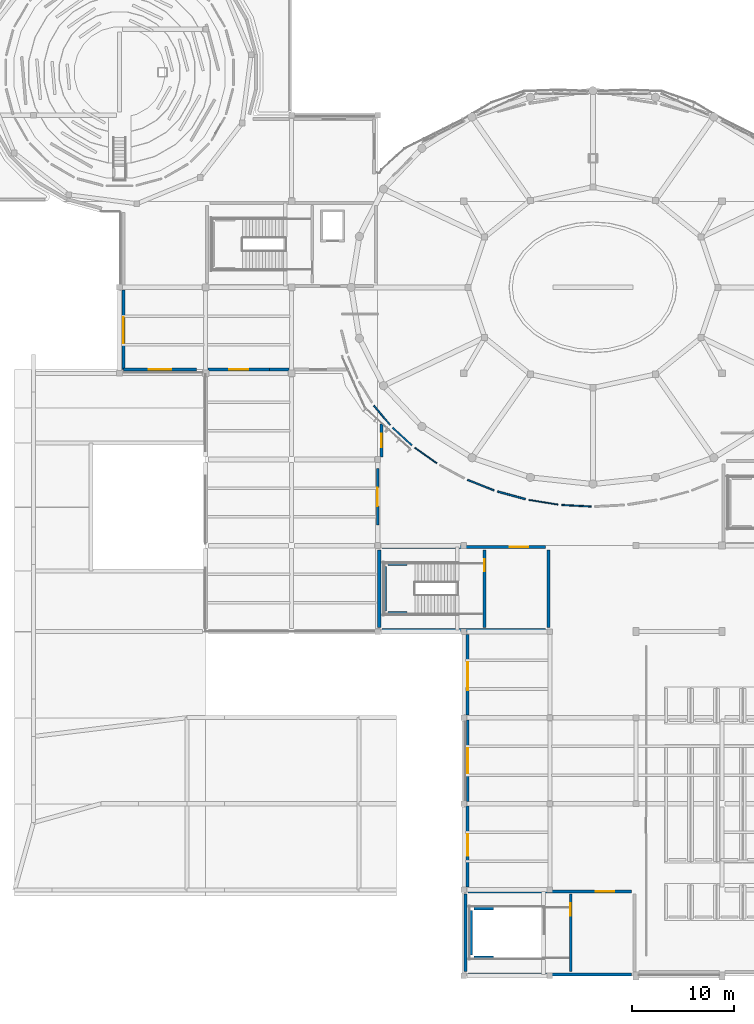
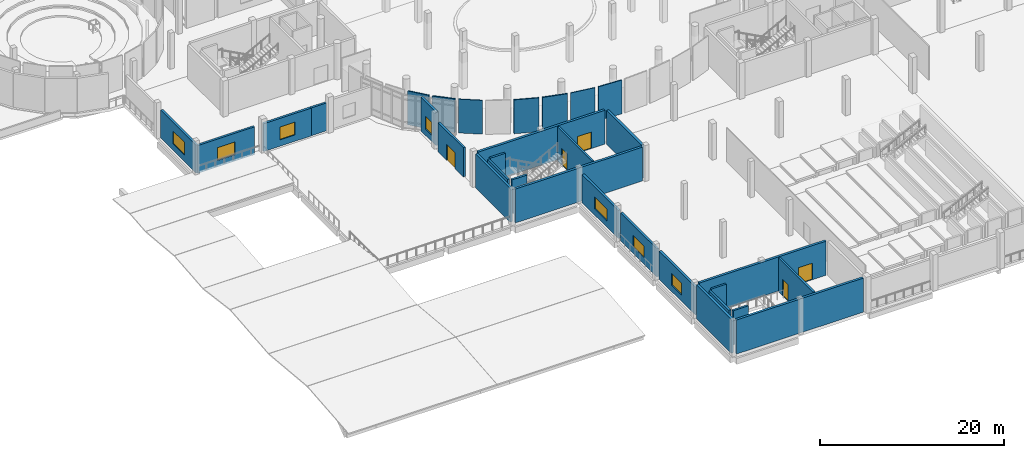
# One storey, part 40 of 63: 31 walls, 7 windows, 5 doors, 12 openings.
"""IFC4 building model written with IfcOpenShell, lengths in metres."""

from ifc_helpers import new_model, si_unit, derived_unit, direction, frame, frame_2d, origin, place, context, subcontext, project, spatial, rectangle, extrude, material, layer, layer_set, type_object, element, fill, save


model = new_model("IFC4")

# Units and contexts
model_context = context("Model", 3, precision=1e-05, world=origin(), true_north=direction((0.0, 1.0)))
body_context = subcontext(model_context, "Body", "Model", "MODEL_VIEW")
ifc_project = project(units=[si_unit("LENGTHUNIT", "METRE"), si_unit("AREAUNIT", "SQUARE_METRE"), si_unit("VOLUMEUNIT", "CUBIC_METRE"), si_unit("PLANEANGLEUNIT", "RADIAN"), si_unit("MASSUNIT", "GRAM", prefix="KILO"), derived_unit("THERMALTRANSMITTANCEUNIT", [(si_unit("POWERUNIT", "WATT"), 1), (si_unit("LENGTHUNIT", "METRE"), -2), (si_unit("THERMODYNAMICTEMPERATUREUNIT", "KELVIN"), -1)])], contexts=[model_context])

# Site, building, storey
site_placement = place(None, origin())
site = spatial("IfcSite", under=ifc_project, at=site_placement, CompositionType="ELEMENT")
building_placement = place(site_placement, origin())
building = spatial("IfcBuilding", under=site, at=building_placement, Name="Elbkamm Science Centre", CompositionType="ELEMENT")
storey_placement = place(building_placement, frame((0.0, 0.0, 5.10009765625)))
storey = spatial("IfcBuildingStorey", under=building, at=storey_placement, Name="L01", CompositionType="ELEMENT", Elevation=5.10009765625)

# Walls
ifc_material_1 = material(Name="Reinforced concrete C40/50", Category="concrete")
ifc_layer_1 = layer(ifc_material_1, 0.25)
ifc_layer_set_1 = layer_set([ifc_layer_1], Name="Reinforced concrete C40/50")
wall_type_1 = type_object("IfcWallType", Name="WL-CORE-250", PredefinedType="SHEAR", material=ifc_layer_set_1)
wall_1_placement = place(storey_placement, frame((42.739990234375, 35.6201171875, 0.0), z_axis=(0.0, 0.0, 1.0), x_axis=(0.0, 1.0, 0.0)))
element("IfcWall", 1, at=wall_1_placement, inside=storey, type_object=wall_type_1, Name="L01 ST-C5 Shaft Bearing Wall W", PredefinedType="SHEAR", context=body_context, shape_type="SweptSolid", body=[
    extrude(rectangle(XDim=4.35986328125, YDim=0.25, at=frame_2d((2.179931640625, 0.0))), origin(), (0.0, 0.0, 1.0), 4.5),
])
for number, where, z_axis, x_axis, name in (
    (2, (42.989990234375, 35.419921875, 0.0), (0.0, 0.0, 1.0), (1.0, 0.0, 0.0), "L01 ST-C5 Shaft Bearing Wall S"),
    (3, (42.989990234375, 40.179931640625, 0.0), (0.0, 0.0, 1.0), (1.0, 0.0, 0.0), "L01 ST-C5 Shaft Bearing Wall N"),
):
    element("IfcWall", number, at=place(storey_placement, frame(where, z_axis=z_axis, x_axis=x_axis)), inside=storey, type_object=wall_type_1, Name=name, PredefinedType="SHEAR", context=body_context, shape_type="SweptSolid", body=[
        extrude(rectangle(XDim=1.889892578125, YDim=0.25, at=frame_2d((0.94482421875, 0.0))), origin(), (0.0, 0.0, 1.0), 4.5),
    ])

# Wall, opening, door
wall_2_placement = place(storey_placement, frame((52.419921875, 34.02001953125, 0.0), z_axis=(0.0, 0.0, 1.0), x_axis=(0.0, 1.0, 0.0)))
wall_2 = element("IfcWall", 4, at=wall_2_placement, inside=storey, type_object=wall_type_1, Name="L01 C5 Stairwell Compartment Wall", PredefinedType="SHEAR", context=body_context, shape_type="SweptSolid", body=[
    extrude(rectangle(XDim=7.56005859375, YDim=0.25, at=frame_2d((3.780029296875, 0.0))), origin(), (0.0, 0.0, 1.0), 4.5),
])
opening_1_placement = place(wall_2_placement, frame((5.4599609375, 0.0, 0.0)))
opening_1 = element("IfcOpeningElement", 5, at=opening_1_placement, cuts=wall_2, Name="Opening DC-02", PredefinedType="OPENING", context=body_context, shape_type="SweptSolid", body=[
    extrude(rectangle(XDim=1.199951171875, YDim=2.199951171875, at=frame_2d((0.60009765625, 1.10009765625))), frame((0.0, 0.136962890625, 0.0), z_axis=(0.0, -1.0, 0.0), x_axis=(1.0, 0.0, 0.0)), (0.0, 0.0, 1.0), 0.27392578125),
])
ifc_material_2 = material(Name="Fire-rated steel acoustic door", Category="steel")
ifc_layer_2 = layer(ifc_material_2, 0.050048828125)
ifc_layer_set_2 = layer_set([ifc_layer_2], Name="Fire-rated steel acoustic door")
door_type_1 = type_object("IfcDoorType", Name="DR-CORE-1200x2200", OperationType="NOTDEFINED", PredefinedType="DOOR", material=ifc_layer_set_2)
door_1_placement = place(opening_1_placement, origin())
door_1 = element("IfcDoor", 6, at=door_1_placement, inside=storey, type_object=door_type_1, Name="L01 ST-C5 Stairwell Fire Door", OperationType="SINGLE_SWING_LEFT", OverallHeight=2.199951171875, OverallWidth=1.199951171875, PredefinedType="DOOR", context=body_context, shape_type="SweptSolid", body=[
    extrude(rectangle(XDim=1.199951171875, YDim=2.199951171875, at=frame_2d((0.60009765625, 1.10009765625))), frame((0.0, 0.02490234375, 0.0), z_axis=(0.0, -1.0, 0.0), x_axis=(1.0, 0.0, 0.0)), (0.0, 0.0, 1.0), 0.050048828125),
])
fill(opening_1, door_1)

# Walls
wall_3_placement = place(storey_placement, frame((51.139892578125, 2.02001953125, 0.0), z_axis=(0.0, 0.0, 1.0), x_axis=(0.0, 1.0, 0.0)))
element("IfcWall", 7, at=wall_3_placement, inside=storey, type_object=wall_type_1, Name="L01 ST-C6 Shaft Bearing Wall W", PredefinedType="SHEAR", context=body_context, shape_type="SweptSolid", body=[
    extrude(rectangle(XDim=4.35986328125, YDim=0.25, at=frame_2d((2.179931640625, 0.0))), origin(), (0.0, 0.0, 1.0), 4.52978515625),
])
for number, where, z_axis, x_axis, name in (
    (8, (51.389892578125, 1.820068359375, 0.0), (0.0, 0.0, 1.0), (1.0, 0.0, 0.0), "L01 ST-C6 Shaft Bearing Wall S"),
    (9, (51.389892578125, 6.580078125, 0.0), (0.0, 0.0, 1.0), (1.0, 0.0, 0.0), "L01 ST-C6 Shaft Bearing Wall N"),
):
    element("IfcWall", number, at=place(storey_placement, frame(where, z_axis=z_axis, x_axis=x_axis)), inside=storey, type_object=wall_type_1, Name=name, PredefinedType="SHEAR", context=body_context, shape_type="SweptSolid", body=[
        extrude(rectangle(XDim=1.89013671875, YDim=0.25, at=frame_2d((0.945068359375, 0.0))), origin(), (0.0, 0.0, 1.0), 4.52978515625),
    ])

# Wall, opening, door
wall_4_placement = place(storey_placement, frame((60.820068359375, 0.419921875, 0.0), z_axis=(0.0, 0.0, 1.0), x_axis=(0.0, 1.0, 0.0)))
wall_4 = element("IfcWall", 10, at=wall_4_placement, inside=storey, type_object=wall_type_1, Name="L01 C6 Stairwell Compartment Wall", PredefinedType="SHEAR", context=body_context, shape_type="SweptSolid", body=[
    extrude(rectangle(XDim=7.56005859375, YDim=0.25, at=frame_2d((3.780029296875, 0.0))), origin(), (0.0, 0.0, 1.0), 4.52978515625),
])
opening_2_placement = place(wall_4_placement, frame((5.4599609375, 0.0, 0.0)))
opening_2 = element("IfcOpeningElement", 11, at=opening_2_placement, cuts=wall_4, Name="Opening DC-02", PredefinedType="OPENING", context=body_context, shape_type="SweptSolid", body=[
    extrude(rectangle(XDim=1.199951171875, YDim=2.199951171875, at=frame_2d((0.60009765625, 1.10009765625))), frame((0.0, 0.136962890625, 0.0), z_axis=(0.0, -1.0, 0.0), x_axis=(1.0, 0.0, 0.0)), (0.0, 0.0, 1.0), 0.27392578125),
])
door_2_placement = place(opening_2_placement, origin())
door_2 = element("IfcDoor", 12, at=door_2_placement, inside=storey, type_object=door_type_1, Name="L01 ST-C6 Stairwell Fire Door", OperationType="SINGLE_SWING_RIGHT", OverallHeight=2.199951171875, OverallWidth=1.199951171875, PredefinedType="DOOR", context=body_context, shape_type="SweptSolid", body=[
    extrude(rectangle(XDim=1.199951171875, YDim=2.199951171875, at=frame_2d((0.60009765625, 1.10009765625))), frame((0.0, 0.02490234375, 0.0), z_axis=(0.0, -1.0, 0.0), x_axis=(1.0, 0.0, 0.0)), (0.0, 0.0, 1.0), 0.050048828125),
])
fill(opening_2, door_2)

# Wall
ifc_layer_3 = layer(ifc_material_1, 0.300048828125)
ifc_layer_set_3 = layer_set([ifc_layer_3], Name="Reinforced concrete C40/50")
wall_type_2 = type_object("IfcWallType", Name="WL-CORE-300", PredefinedType="SHEAR", material=ifc_layer_set_3)
wall_5_placement = place(storey_placement, frame((42.419921875, 33.75, 0.0), z_axis=(0.0, 0.0, 1.0), x_axis=(1.0, 0.0, 0.0)))
element("IfcWall", 13, at=wall_5_placement, inside=storey, type_object=wall_type_2, Name="L01 Core C5 Southwest Plinth Assembly Egress Core Shear Wall S", PredefinedType="SHEAR", context=body_context, shape_type="SweptSolid", body=[
    extrude(rectangle(XDim=15.9599609375, YDim=0.300048828125, at=frame_2d((7.97998046875, 0.0))), origin(), (0.0, 0.0, 1.0), 4.5),
])

# Wall, opening, door
wall_6_placement = place(storey_placement, frame((42.419921875, 41.85009765625, 0.0), z_axis=(0.0, 0.0, 1.0), x_axis=(1.0, 0.0, 0.0)))
wall_6 = element("IfcWall", 14, at=wall_6_placement, inside=storey, type_object=wall_type_2, Name="L01 Core C5 Southwest Plinth Assembly Egress Core Shear Wall N", PredefinedType="SHEAR", context=body_context, shape_type="SweptSolid", body=[
    extrude(rectangle(XDim=15.9599609375, YDim=0.300048828125, at=frame_2d((7.97998046875, 0.0))), origin(), (0.0, 0.0, 1.0), 4.5),
])
opening_3_placement = place(wall_6_placement, frame((12.4599609375, 0.0, 0.0)))
opening_3 = element("IfcOpeningElement", 15, at=opening_3_placement, cuts=wall_6, Name="Opening DC-01", PredefinedType="OPENING", context=body_context, shape_type="SweptSolid", body=[
    extrude(rectangle(XDim=1.800048828125, YDim=2.199951171875, at=frame_2d((0.89990234375, 1.10009765625))), frame((0.0, 0.162109375, 0.0), z_axis=(0.0, -1.0, 0.0), x_axis=(1.0, 0.0, 0.0)), (0.0, 0.0, 1.0), 0.323974609375),
])
ifc_layer_4 = layer(ifc_material_2, 0.050048828125)
ifc_layer_set_4 = layer_set([ifc_layer_4], Name="Fire-rated steel acoustic door")
door_type_2 = type_object("IfcDoorType", Name="DR-CORE-1800x2200", OperationType="DOUBLE_DOOR_SINGLE_SWING", PredefinedType="DOOR", material=ifc_layer_set_4)
door_3_placement = place(opening_3_placement, origin())
door_3 = element("IfcDoor", 16, at=door_3_placement, inside=storey, type_object=door_type_2, Name="L01 C5 Core Lobby Fire Door", OperationType="DOUBLE_DOOR_SINGLE_SWING", OverallHeight=2.199951171875, OverallWidth=1.800048828125, PredefinedType="DOOR", context=body_context, shape_type="SweptSolid", body=[
    extrude(rectangle(XDim=1.800048828125, YDim=2.199951171875, at=frame_2d((0.89990234375, 1.10009765625))), frame((0.0, 0.02490234375, 0.0), z_axis=(0.0, -1.0, 0.0), x_axis=(1.0, 0.0, 0.0)), (0.0, 0.0, 1.0), 0.050048828125),
])
fill(opening_3, door_3)

# Walls
for number, where, z_axis, x_axis, name in (
    (17, (42.14990234375, 34.02001953125, 0.0), (0.0, 0.0, 1.0), (0.0, 1.0, 0.0), "L01 Core C5 Southwest Plinth Assembly Egress Core Shear Wall W"),
    (18, (58.64990234375, 34.02001953125, 0.0), (0.0, 0.0, 1.0), (0.0, 1.0, 0.0), "L01 Core C5 Southwest Plinth Assembly Egress Core Shear Wall E"),
):
    element("IfcWall", number, at=place(storey_placement, frame(where, z_axis=z_axis, x_axis=x_axis)), inside=storey, type_object=wall_type_2, Name=name, PredefinedType="SHEAR", context=body_context, shape_type="SweptSolid", body=[
        extrude(rectangle(XDim=7.56005859375, YDim=0.300048828125, at=frame_2d((3.780029296875, 0.0))), origin(), (0.0, 0.0, 1.0), 4.5),
    ])
wall_7_placement = place(storey_placement, frame((50.820068359375, 0.14990234375, 0.0), z_axis=(0.0, 0.0, 1.0), x_axis=(1.0, 0.0, 0.0)))
element("IfcWall", 19, at=wall_7_placement, inside=storey, type_object=wall_type_2, Name="L01 Core C6 South Theatre Assembly Egress Core Shear Wall S", PredefinedType="SHEAR", context=body_context, shape_type="SweptSolid", body=[
    extrude(rectangle(XDim=15.9599609375, YDim=0.300048828125, at=frame_2d((7.97998046875, 0.0))), origin(), (0.0, 0.0, 1.0), 4.52978515625),
])

# Wall, opening, door
wall_8_placement = place(storey_placement, frame((50.820068359375, 8.25, 0.0), z_axis=(0.0, 0.0, 1.0), x_axis=(1.0, 0.0, 0.0)))
wall_8 = element("IfcWall", 20, at=wall_8_placement, inside=storey, type_object=wall_type_2, Name="L01 Core C6 South Theatre Assembly Egress Core Shear Wall N", PredefinedType="SHEAR", context=body_context, shape_type="SweptSolid", body=[
    extrude(rectangle(XDim=15.9599609375, YDim=0.300048828125, at=frame_2d((7.97998046875, 0.0))), origin(), (0.0, 0.0, 1.0), 4.52978515625),
])
opening_4_placement = place(wall_8_placement, frame((12.4599609375, 0.0, 0.0)))
opening_4 = element("IfcOpeningElement", 21, at=opening_4_placement, cuts=wall_8, Name="Opening DC-01", PredefinedType="OPENING", context=body_context, shape_type="SweptSolid", body=[
    extrude(rectangle(XDim=1.800048828125, YDim=2.199951171875, at=frame_2d((0.89990234375, 1.10009765625))), frame((0.0, 0.162109375, 0.0), z_axis=(0.0, -1.0, 0.0), x_axis=(1.0, 0.0, 0.0)), (0.0, 0.0, 1.0), 0.323974609375),
])
door_4_placement = place(opening_4_placement, origin())
door_4 = element("IfcDoor", 22, at=door_4_placement, inside=storey, type_object=door_type_2, Name="L01 C6 Core Lobby Fire Door", OperationType="DOUBLE_DOOR_SINGLE_SWING", OverallHeight=2.199951171875, OverallWidth=1.800048828125, PredefinedType="DOOR", context=body_context, shape_type="SweptSolid", body=[
    extrude(rectangle(XDim=1.800048828125, YDim=2.199951171875, at=frame_2d((0.89990234375, 1.10009765625))), frame((0.0, 0.02490234375, 0.0), z_axis=(0.0, -1.0, 0.0), x_axis=(1.0, 0.0, 0.0)), (0.0, 0.0, 1.0), 0.050048828125),
])
fill(opening_4, door_4)

# Wall
wall_9_placement = place(storey_placement, frame((50.550048828125, 0.419921875, 0.0), z_axis=(0.0, 0.0, 1.0), x_axis=(0.0, 1.0, 0.0)))
element("IfcWall", 23, at=wall_9_placement, inside=storey, type_object=wall_type_2, Name="L01 Core C6 South Theatre Assembly Egress Core Shear Wall W", PredefinedType="SHEAR", context=body_context, shape_type="SweptSolid", body=[
    extrude(rectangle(XDim=7.56005859375, YDim=0.300048828125, at=frame_2d((3.780029296875, 0.0))), origin(), (0.0, 0.0, 1.0), 4.52978515625),
])

# Wall, opening, door
ifc_material_3 = material(Name="White precast concrete C40/50", Category="concrete")
ifc_layer_5 = layer(ifc_material_3, 0.27001953125)
ifc_layer_set_5 = layer_set([ifc_layer_5], Name="White precast concrete C40/50")
wall_type_3 = type_object("IfcWallType", Name="WL-EXT-270", PredefinedType="SOLIDWALL", material=ifc_layer_set_5)
wall_10_placement = place(storey_placement, frame((42.0, 44.0, 0.0), z_axis=(0.0, 0.0, 1.0), x_axis=(0.0, 1.0, 0.0)))
wall_10 = element("IfcWall", 24, at=wall_10_placement, inside=storey, type_object=wall_type_3, Name="Warft Forecourt Plinth Terrace Portal Wall", PredefinedType="SOLIDWALL", context=body_context, shape_type="SweptSolid", body=[
    extrude(rectangle(XDim=5.5, YDim=0.27001953125, at=frame_2d((2.75, 0.0))), origin(), (0.0, 0.0, 1.0), 3.89990234375),
])
opening_5_placement = place(wall_10_placement, frame((1.85009765625, 0.0, 0.0)))
opening_5 = element("IfcOpeningElement", 25, at=opening_5_placement, cuts=wall_10, Name="Opening TD-01", PredefinedType="OPENING", context=body_context, shape_type="SweptSolid", body=[
    extrude(rectangle(XDim=1.800048828125, YDim=2.14990234375, at=frame_2d((0.89990234375, 1.074951171875))), frame((0.0, 0.14697265625, 0.0), z_axis=(0.0, -1.0, 0.0), x_axis=(1.0, 0.0, 0.0)), (0.0, 0.0, 1.0), 0.2939453125),
])
ifc_material_4 = material(Name="Powder-coated aluminium and laminated glass", Category="aluminium")
ifc_layer_6 = layer(ifc_material_4, 0.050048828125)
ifc_layer_set_6 = layer_set([ifc_layer_6], Name="Powder-coated aluminium and laminated glass")
door_type_3 = type_object("IfcDoorType", Name="DR-TER-1800x2150", OperationType="DOUBLE_DOOR_SINGLE_SWING", PredefinedType="DOOR", material=ifc_layer_set_6)
door_5_placement = place(opening_5_placement, origin())
door_5 = element("IfcDoor", 26, at=door_5_placement, inside=storey, type_object=door_type_3, Name="Warft Forecourt Plinth Terrace Access Door", OperationType="DOUBLE_DOOR_SINGLE_SWING", OverallHeight=2.14990234375, OverallWidth=1.800048828125, PredefinedType="DOOR", context=body_context, shape_type="SweptSolid", body=[
    extrude(rectangle(XDim=1.800048828125, YDim=2.14990234375, at=frame_2d((0.89990234375, 1.074951171875))), frame((0.0, 0.02490234375, 0.0), z_axis=(0.0, -1.0, 0.0), x_axis=(1.0, 0.0, 0.0)), (0.0, 0.0, 1.0), 0.050048828125),
])
fill(opening_5, door_5)

# Wall, opening, window
wall_11_placement = place(storey_placement, frame((50.780029296875, 17.0390625, 0.0), z_axis=(0.0, 0.0, 1.0), x_axis=(0.0, 1.0, 0.0)))
wall_11 = element("IfcWall", 27, at=wall_11_placement, inside=storey, type_object=wall_type_3, Name="L01 Exterior Wall 0199", PredefinedType="SOLIDWALL", context=body_context, shape_type="SweptSolid", body=[
    extrude(rectangle(XDim=7.921875, YDim=0.27001953125, at=frame_2d((3.9609375, 0.0))), origin(), (0.0, 0.0, 1.0), 3.72998046875),
])
opening_6_placement = place(wall_11_placement, frame((2.760986328125, 0.0, 0.85009765625)))
opening_6 = element("IfcOpeningElement", 28, at=opening_6_placement, cuts=wall_11, Name="Opening W-13", PredefinedType="OPENING", context=body_context, shape_type="SweptSolid", body=[
    extrude(rectangle(XDim=2.39990234375, YDim=1.550048828125, at=frame_2d((1.199951171875, 0.77490234375))), frame((0.0, 0.14697265625, 0.0), z_axis=(0.0, -1.0, 0.0), x_axis=(1.0, 0.0, 0.0)), (0.0, 0.0, 1.0), 0.2939453125),
])
ifc_material_5 = material(Name="Thermally broken aluminium and triple solar glass", Category="aluminium")
ifc_layer_7 = layer(ifc_material_5, 0.06005859375)
ifc_layer_set_7 = layer_set([ifc_layer_7], Name="Thermally broken aluminium and triple solar glass")
window_type_1 = type_object("IfcWindowType", Name="WIN-2400x1550", PartitioningType="DOUBLE_PANEL_VERTICAL", PredefinedType="WINDOW", material=ifc_layer_set_7)
window_1_placement = place(opening_6_placement, origin())
window_1 = element("IfcWindow", 29, at=window_1_placement, inside=storey, type_object=window_type_1, Name="L01 Facade Window 0032", OverallHeight=1.550048828125, OverallWidth=2.39990234375, PartitioningType="SINGLE_PANEL", PredefinedType="WINDOW", context=body_context, shape_type="SweptSolid", body=[
    extrude(rectangle(XDim=2.39990234375, YDim=1.550048828125, at=frame_2d((1.199951171875, 0.77490234375))), frame((0.0, 0.030029296875, 0.0), z_axis=(0.0, -1.0, 0.0), x_axis=(1.0, 0.0, 0.0)), (0.0, 0.0, 1.0), 0.06005859375),
])
fill(opening_6, window_1)

wall_12_placement = place(storey_placement, frame((42.3798828125, 50.63916015625, 0.0), z_axis=(0.0, 0.0, 1.0), x_axis=(0.0, 1.0, 0.0)))
wall_12 = element("IfcWall", 30, at=wall_12_placement, inside=storey, type_object=wall_type_3, Name="L01 Exterior Wall 0201", PredefinedType="SOLIDWALL", context=body_context, shape_type="SweptSolid", body=[
    extrude(rectangle(XDim=3.238525390625, YDim=0.27001953125, at=frame_2d((1.619140625, 0.0))), origin(), (0.0, 0.0, 1.0), 4.5),
])
opening_7_placement = place(wall_12_placement, frame((0.969482421875, 0.0, 0.85009765625)))
opening_7 = element("IfcOpeningElement", 31, at=opening_7_placement, cuts=wall_12, Name="Opening W-15", PredefinedType="OPENING", context=body_context, shape_type="SweptSolid", body=[
    extrude(rectangle(XDim=1.300048828125, YDim=1.699951171875, at=frame_2d((0.64990234375, 0.85009765625))), frame((0.0, 0.14697265625, 0.0), z_axis=(0.0, -1.0, 0.0), x_axis=(1.0, 0.0, 0.0)), (0.0, 0.0, 1.0), 0.2939453125),
])
ifc_layer_8 = layer(ifc_material_5, 0.06005859375)
ifc_layer_set_8 = layer_set([ifc_layer_8], Name="Thermally broken aluminium and triple solar glass")
window_type_2 = type_object("IfcWindowType", Name="WIN-1300x1700", PartitioningType="SINGLE_PANEL", PredefinedType="WINDOW", material=ifc_layer_set_8)
window_2_placement = place(opening_7_placement, origin())
window_2 = element("IfcWindow", 32, at=window_2_placement, inside=storey, type_object=window_type_2, Name="L01 Facade Window 0034", OverallHeight=1.699951171875, OverallWidth=1.300048828125, PartitioningType="SINGLE_PANEL", PredefinedType="WINDOW", context=body_context, shape_type="SweptSolid", body=[
    extrude(rectangle(XDim=1.300048828125, YDim=1.699951171875, at=frame_2d((0.64990234375, 0.85009765625))), frame((0.0, 0.030029296875, 0.0), z_axis=(0.0, -1.0, 0.0), x_axis=(1.0, 0.0, 0.0)), (0.0, 0.0, 1.0), 0.06005859375),
])
fill(opening_7, window_2)

# Wall
wall_13_placement = place(storey_placement, frame((33.36083984375, 59.179931640625, 0.0), z_axis=(0.0, 0.0, 1.0), x_axis=(-1.0, 0.0, 0.0)))
element("IfcWall", 33, at=wall_13_placement, inside=storey, type_object=wall_type_3, Name="L01 Exterior Wall 0203", PredefinedType="SOLIDWALL", context=body_context, shape_type="SweptSolid", body=[
    extrude(rectangle(XDim=1.92919921875, YDim=0.27001953125, at=frame_2d((0.964599609375, 0.0))), origin(), (0.0, 0.0, 1.0), 3.699951171875),
])

# Wall, opening, window
wall_14_placement = place(storey_placement, frame((24.305908203125, 59.179931640625, 0.0), z_axis=(0.0, 0.0, 1.0), x_axis=(-1.0, 0.0, 0.0)))
wall_14 = element("IfcWall", 34, at=wall_14_placement, inside=storey, type_object=wall_type_3, Name="L01 Exterior Wall 0205", PredefinedType="SOLIDWALL", context=body_context, shape_type="SweptSolid", body=[
    extrude(rectangle(XDim=7.1259765625, YDim=0.27001953125, at=frame_2d((3.56298828125, 0.0))), origin(), (0.0, 0.0, 1.0), 3.699951171875),
])
opening_8_placement = place(wall_14_placement, frame((2.462890625, 0.0, 0.85009765625)))
opening_8 = element("IfcOpeningElement", 35, at=opening_8_placement, cuts=wall_14, Name="Opening W-18", PredefinedType="OPENING", context=body_context, shape_type="SweptSolid", body=[
    extrude(rectangle(XDim=2.199951171875, YDim=1.699951171875, at=frame_2d((1.10009765625, 0.85009765625))), frame((0.0, 0.14697265625, 0.0), z_axis=(0.0, -1.0, 0.0), x_axis=(1.0, 0.0, 0.0)), (0.0, 0.0, 1.0), 0.2939453125),
])
ifc_layer_9 = layer(ifc_material_5, 0.06005859375)
ifc_layer_set_9 = layer_set([ifc_layer_9], Name="Thermally broken aluminium and triple solar glass")
window_type_3 = type_object("IfcWindowType", Name="WIN-2200x1700", PartitioningType="DOUBLE_PANEL_VERTICAL", PredefinedType="WINDOW", material=ifc_layer_set_9)
window_3_placement = place(opening_8_placement, origin())
window_3 = element("IfcWindow", 36, at=window_3_placement, inside=storey, type_object=window_type_3, Name="L01 Facade Window 0037", OverallHeight=1.699951171875, OverallWidth=2.199951171875, PartitioningType="SINGLE_PANEL", PredefinedType="WINDOW", context=body_context, shape_type="SweptSolid", body=[
    extrude(rectangle(XDim=2.199951171875, YDim=1.699951171875, at=frame_2d((1.10009765625, 0.85009765625))), frame((0.0, 0.030029296875, 0.0), z_axis=(0.0, -1.0, 0.0), x_axis=(1.0, 0.0, 0.0)), (0.0, 0.0, 1.0), 0.06005859375),
])
fill(opening_8, window_3)

ifc_layer_10 = layer(ifc_material_3, 0.2900390625)
ifc_layer_set_10 = layer_set([ifc_layer_10], Name="White precast concrete C40/50")
wall_type_4 = type_object("IfcWallType", Name="WL-EXT-290", PredefinedType="SOLIDWALL", material=ifc_layer_set_10)
wall_15_placement = place(storey_placement, frame((50.780029296875, 8.677001953125, 0.0), z_axis=(0.0, 0.0, 1.0), x_axis=(0.0, 1.0, 0.0)))
wall_15 = element("IfcWall", 37, at=wall_15_placement, inside=storey, type_object=wall_type_4, Name="L01 Exterior Wall 0198", PredefinedType="SOLIDWALL", context=body_context, shape_type="SweptSolid", body=[
    extrude(rectangle(XDim=7.8837890625, YDim=0.2900390625, at=frame_2d((3.94189453125, 0.0))), origin(), (0.0, 0.0, 1.0), 3.72998046875),
])
opening_9_placement = place(wall_15_placement, frame((3.028564453125, 0.0, 0.85009765625)))
opening_9 = element("IfcOpeningElement", 38, at=opening_9_placement, cuts=wall_15, Name="Opening W-12", PredefinedType="OPENING", context=body_context, shape_type="SweptSolid", body=[
    extrude(rectangle(XDim=2.10009765625, YDim=1.550048828125, at=frame_2d((1.050048828125, 0.77490234375))), frame((0.0, 0.156982421875, 0.0), z_axis=(0.0, -1.0, 0.0), x_axis=(1.0, 0.0, 0.0)), (0.0, 0.0, 1.0), 0.31396484375),
])
ifc_layer_11 = layer(ifc_material_5, 0.06005859375)
ifc_layer_set_11 = layer_set([ifc_layer_11], Name="Thermally broken aluminium and triple solar glass")
window_type_4 = type_object("IfcWindowType", Name="WIN-2100x1550", PartitioningType="DOUBLE_PANEL_VERTICAL", PredefinedType="WINDOW", material=ifc_layer_set_11)
window_4_placement = place(opening_9_placement, origin())
window_4 = element("IfcWindow", 39, at=window_4_placement, inside=storey, type_object=window_type_4, Name="L01 Facade Window 0031", OverallHeight=1.550048828125, OverallWidth=2.10009765625, PartitioningType="SINGLE_PANEL", PredefinedType="WINDOW", context=body_context, shape_type="SweptSolid", body=[
    extrude(rectangle(XDim=2.10009765625, YDim=1.550048828125, at=frame_2d((1.050048828125, 0.77490234375))), frame((0.0, 0.030029296875, 0.0), z_axis=(0.0, -1.0, 0.0), x_axis=(1.0, 0.0, 0.0)), (0.0, 0.0, 1.0), 0.06005859375),
])
fill(opening_9, window_4)

wall_16_placement = place(storey_placement, frame((50.780029296875, 25.439208984375, 0.0), z_axis=(0.0, 0.0, 1.0), x_axis=(0.0, 1.0, 0.0)))
wall_16 = element("IfcWall", 40, at=wall_16_placement, inside=storey, type_object=wall_type_4, Name="L01 Exterior Wall 0200", PredefinedType="SOLIDWALL", context=body_context, shape_type="SweptSolid", body=[
    extrude(rectangle(XDim=7.8837890625, YDim=0.2900390625, at=frame_2d((3.94189453125, 0.0))), origin(), (0.0, 0.0, 1.0), 3.72998046875),
])
opening_10_placement = place(wall_16_placement, frame((2.455322265625, 0.0, 0.85009765625)))
opening_10 = element("IfcOpeningElement", 41, at=opening_10_placement, cuts=wall_16, Name="Opening W-14", PredefinedType="OPENING", context=body_context, shape_type="SweptSolid", body=[
    extrude(rectangle(XDim=2.699951171875, YDim=1.550048828125, at=frame_2d((1.35009765625, 0.77490234375))), frame((0.0, 0.156982421875, 0.0), z_axis=(0.0, -1.0, 0.0), x_axis=(1.0, 0.0, 0.0)), (0.0, 0.0, 1.0), 0.31396484375),
])
ifc_layer_12 = layer(ifc_material_5, 0.06005859375)
ifc_layer_set_12 = layer_set([ifc_layer_12], Name="Thermally broken aluminium and triple solar glass")
window_type_5 = type_object("IfcWindowType", Name="WIN-2700x1550", PartitioningType="DOUBLE_PANEL_VERTICAL", PredefinedType="WINDOW", material=ifc_layer_set_12)
window_5_placement = place(opening_10_placement, origin())
window_5 = element("IfcWindow", 42, at=window_5_placement, inside=storey, type_object=window_type_5, Name="L01 Facade Window 0033", OverallHeight=1.550048828125, OverallWidth=2.699951171875, PartitioningType="SINGLE_PANEL", PredefinedType="WINDOW", context=body_context, shape_type="SweptSolid", body=[
    extrude(rectangle(XDim=2.699951171875, YDim=1.550048828125, at=frame_2d((1.35009765625, 0.77490234375))), frame((0.0, 0.030029296875, 0.0), z_axis=(0.0, -1.0, 0.0), x_axis=(1.0, 0.0, 0.0)), (0.0, 0.0, 1.0), 0.06005859375),
])
fill(opening_10, window_5)

wall_17_placement = place(storey_placement, frame((31.431640625, 59.179931640625, 0.0), z_axis=(0.0, 0.0, 1.0), x_axis=(-1.0, 0.0, 0.0)))
wall_17 = element("IfcWall", 43, at=wall_17_placement, inside=storey, type_object=wall_type_4, Name="L01 Exterior Wall 0204", PredefinedType="SOLIDWALL", context=body_context, shape_type="SweptSolid", body=[
    extrude(rectangle(XDim=5.992431640625, YDim=0.2900390625, at=frame_2d((2.99609375, 0.0))), origin(), (0.0, 0.0, 1.0), 3.699951171875),
])
opening_11_placement = place(wall_17_placement, frame((2.046142578125, 0.0, 0.85009765625)))
opening_11 = element("IfcOpeningElement", 44, at=opening_11_placement, cuts=wall_17, Name="Opening W-17", PredefinedType="OPENING", context=body_context, shape_type="SweptSolid", body=[
    extrude(rectangle(XDim=1.89990234375, YDim=1.699951171875, at=frame_2d((0.949951171875, 0.85009765625))), frame((0.0, 0.156982421875, 0.0), z_axis=(0.0, -1.0, 0.0), x_axis=(1.0, 0.0, 0.0)), (0.0, 0.0, 1.0), 0.31396484375),
])
ifc_layer_13 = layer(ifc_material_5, 0.06005859375)
ifc_layer_set_13 = layer_set([ifc_layer_13], Name="Thermally broken aluminium and triple solar glass")
window_type_6 = type_object("IfcWindowType", Name="WIN-1900x1700", PartitioningType="DOUBLE_PANEL_VERTICAL", PredefinedType="WINDOW", material=ifc_layer_set_13)
window_6_placement = place(opening_11_placement, origin())
window_6 = element("IfcWindow", 45, at=window_6_placement, inside=storey, type_object=window_type_6, Name="L01 Facade Window 0036", OverallHeight=1.699951171875, OverallWidth=1.89990234375, PartitioningType="SINGLE_PANEL", PredefinedType="WINDOW", context=body_context, shape_type="SweptSolid", body=[
    extrude(rectangle(XDim=1.89990234375, YDim=1.699951171875, at=frame_2d((0.949951171875, 0.85009765625))), frame((0.0, 0.030029296875, 0.0), z_axis=(0.0, -1.0, 0.0), x_axis=(1.0, 0.0, 0.0)), (0.0, 0.0, 1.0), 0.06005859375),
])
fill(opening_11, window_6)

wall_18_placement = place(storey_placement, frame((17.179931640625, 59.179931640625, 0.0), z_axis=(0.0, 0.0, 1.0), x_axis=(0.0, 1.0, 0.0)))
wall_18 = element("IfcWall", 46, at=wall_18_placement, inside=storey, type_object=wall_type_4, Name="L01 Exterior Wall 0206", PredefinedType="SOLIDWALL", context=body_context, shape_type="SweptSolid", body=[
    extrude(rectangle(XDim=7.7431640625, YDim=0.2900390625, at=frame_2d((3.87158203125, 0.0))), origin(), (0.0, 0.0, 1.0), 3.699951171875),
])
opening_12_placement = place(wall_18_placement, frame((2.584716796875, 0.0, 0.85009765625)))
opening_12 = element("IfcOpeningElement", 47, at=opening_12_placement, cuts=wall_18, Name="Opening W-19", PredefinedType="OPENING", context=body_context, shape_type="SweptSolid", body=[
    extrude(rectangle(XDim=2.5, YDim=1.699951171875, at=frame_2d((1.25, 0.85009765625))), frame((0.0, 0.156982421875, 0.0), z_axis=(0.0, -1.0, 0.0), x_axis=(1.0, 0.0, 0.0)), (0.0, 0.0, 1.0), 0.31396484375),
])
ifc_layer_14 = layer(ifc_material_5, 0.06005859375)
ifc_layer_set_14 = layer_set([ifc_layer_14], Name="Thermally broken aluminium and triple solar glass")
window_type_7 = type_object("IfcWindowType", Name="WIN-2500x1700", PartitioningType="DOUBLE_PANEL_VERTICAL", PredefinedType="WINDOW", material=ifc_layer_set_14)
window_7_placement = place(opening_12_placement, origin())
window_7 = element("IfcWindow", 48, at=window_7_placement, inside=storey, type_object=window_type_7, Name="L01 Facade Window 0038", OverallHeight=1.699951171875, OverallWidth=2.5, PartitioningType="SINGLE_PANEL", PredefinedType="WINDOW", context=body_context, shape_type="SweptSolid", body=[
    extrude(rectangle(XDim=2.5, YDim=1.699951171875, at=frame_2d((1.25, 0.85009765625))), frame((0.0, 0.030029296875, 0.0), z_axis=(0.0, -1.0, 0.0), x_axis=(1.0, 0.0, 0.0)), (0.0, 0.0, 1.0), 0.06005859375),
])
fill(opening_12, window_7)

# Walls
ifc_material_6 = material(Name="Drywall service partition", Category="gypsum")
ifc_layer_15 = layer(ifc_material_6, 0.10009765625)
ifc_layer_set_15 = layer_set([ifc_layer_15], Name="Drywall service partition")
wall_type_5 = type_object("IfcWallType", Name="WL-PART-100", PredefinedType="PARTITIONING", material=ifc_layer_set_15)
wall_19_placement = place(storey_placement, frame((59.585205078125, 45.99951171875, 0.0), z_axis=(0.0, 0.0, 1.0), x_axis=(-0.987376146081, 0.158393011686, 0.0)))
element("IfcWall", 49, at=wall_19_placement, inside=storey, type_object=wall_type_5, Name="L01 Marine Ecology Exhibition Hall Partition 0091", PredefinedType="PARTITIONING", context=body_context, shape_type="SweptSolid", body=[
    extrude(rectangle(XDim=2.8623046875, YDim=0.10009765625, at=frame_2d((1.43115234375, 0.0))), origin(), (0.0, 0.0, 1.0), 4.5),
])
wall_20_placement = place(storey_placement, frame((47.755615234375, 50.036865234375, 0.0), z_axis=(0.0, 0.0, 1.0), x_axis=(-0.816406021945, 0.577478317629, 0.0)))
element("IfcWall", 50, at=wall_20_placement, inside=storey, type_object=wall_type_5, Name="L01 Marine Ecology Exhibition Hall Partition 0095", PredefinedType="PARTITIONING", context=body_context, shape_type="SweptSolid", body=[
    extrude(rectangle(XDim=2.627197265625, YDim=0.10009765625, at=frame_2d((1.3134765625, 0.0))), origin(), (0.0, 0.0, 1.0), 4.5),
])
ifc_material_7 = material(Name="Lightweight metal-stud gypsum partition", Category="gypsum")
ifc_layer_16 = layer(ifc_material_7, 0.125)
ifc_layer_set_16 = layer_set([ifc_layer_16], Name="Lightweight metal-stud gypsum partition")
wall_type_6 = type_object("IfcWallType", Name="WL-PART-125", PredefinedType="PARTITIONING", material=ifc_layer_set_16)
wall_21_placement = place(storey_placement, frame((62.8203125, 45.8095703125, 0.0), z_axis=(0.0, 0.0, 1.0), x_axis=(-0.99860610279, 0.052781165864, 0.0)))
element("IfcWall", 51, at=wall_21_placement, inside=storey, type_object=wall_type_6, Name="L01 Marine Ecology Exhibition Hall Partition 0090", PredefinedType="PARTITIONING", context=body_context, shape_type="SweptSolid", body=[
    extrude(rectangle(XDim=2.881591796875, YDim=0.125, at=frame_2d((1.44091796875, 0.0))), origin(), (0.0, 0.0, 1.0), 4.5),
])
ifc_material_8 = material(Name="Acoustic metal-stud gypsum partition", Category="gypsum")
ifc_layer_17 = layer(ifc_material_8, 0.139892578125)
ifc_layer_set_17 = layer_set([ifc_layer_17], Name="Acoustic metal-stud gypsum partition")
wall_type_7 = type_object("IfcWallType", Name="WL-PART-140", PredefinedType="PARTITIONING", material=ifc_layer_set_17)
wall_22_placement = place(storey_placement, frame((53.34228515625, 47.388916015625, 0.0), z_axis=(0.0, 0.0, 1.0), x_axis=(-0.929197964597, 0.369582389446, 0.0)))
element("IfcWall", 52, at=wall_22_placement, inside=storey, type_object=wall_type_7, Name="L01 Marine Ecology Exhibition Hall Partition 0093", PredefinedType="PARTITIONING", context=body_context, shape_type="SweptSolid", body=[
    extrude(rectangle(XDim=2.771240234375, YDim=0.139892578125, at=frame_2d((1.3857421875, 0.0))), origin(), (0.0, 0.0, 1.0), 4.5),
])
wall_23_placement = place(storey_placement, frame((43.2099609375, 53.763427734375, 0.0), z_axis=(0.0, 0.0, 1.0), x_axis=(-0.637999406025, 0.770036854905, 0.0)))
element("IfcWall", 53, at=wall_23_placement, inside=storey, type_object=wall_type_7, Name="L01 Marine Ecology Exhibition Hall Partition 0097", PredefinedType="PARTITIONING", context=body_context, shape_type="SweptSolid", body=[
    extrude(rectangle(XDim=2.46484375, YDim=0.139892578125, at=frame_2d((1.232421875, 0.0))), origin(), (0.0, 0.0, 1.0), 4.5),
])
ifc_layer_18 = layer(ifc_material_8, 0.159912109375)
ifc_layer_set_18 = layer_set([ifc_layer_18], Name="Acoustic metal-stud gypsum partition")
wall_type_8 = type_object("IfcWallType", Name="WL-PART-160", PredefinedType="PARTITIONING", material=ifc_layer_set_18)
wall_24_placement = place(storey_placement, frame((56.40771484375, 46.529052734375, 0.0), z_axis=(0.0, 0.0, 1.0), x_axis=(-0.96451408242, 0.264031408763, 0.0)))
element("IfcWall", 54, at=wall_24_placement, inside=storey, type_object=wall_type_8, Name="L01 Marine Ecology Exhibition Hall Partition 0092", PredefinedType="PARTITIONING", context=body_context, shape_type="SweptSolid", body=[
    extrude(rectangle(XDim=2.824951171875, YDim=0.159912109375, at=frame_2d((1.41259765625, 0.0))), origin(), (0.0, 0.0, 1.0), 4.5),
])
wall_25_placement = place(storey_placement, frame((45.331298828125, 51.77978515625, 0.0), z_axis=(0.0, 0.0, 1.0), x_axis=(-0.736118293506, 0.676852907186, 0.0)))
element("IfcWall", 55, at=wall_25_placement, inside=storey, type_object=wall_type_8, Name="L01 Marine Ecology Exhibition Hall Partition 0096", PredefinedType="PARTITIONING", context=body_context, shape_type="SweptSolid", body=[
    extrude(rectangle(XDim=2.5458984375, YDim=0.159912109375, at=frame_2d((1.27294921875, 0.0))), origin(), (0.0, 0.0, 1.0), 4.5),
])

save(model, "model.ifc")
